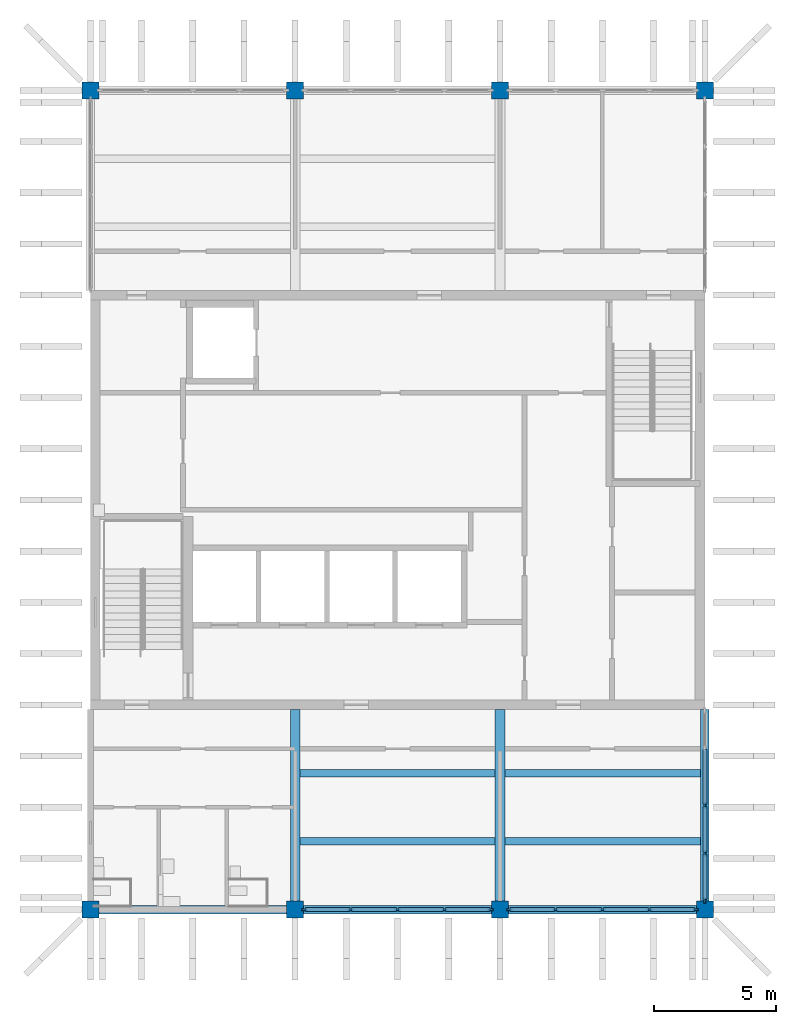
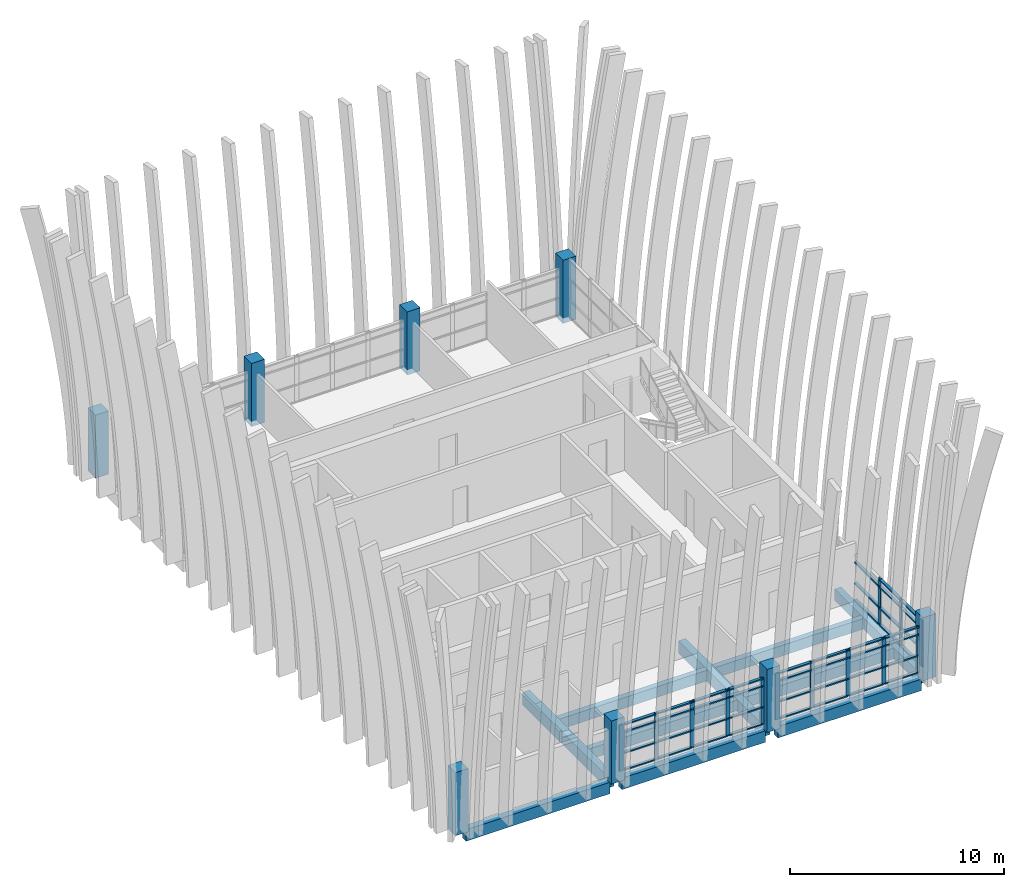
# One storey, part 1 of 19: 56 members, 10 beams, 8 columns, 3 elements without a shape of their own.
"""IFC4 building model written with IfcOpenShell, lengths in metres."""

import ifcopenshell
import ifcopenshell.guid

model = None  # the IFC model being written
_history = None  # IfcOwnerHistory: only IFC2X3 demands one
_inside = {}  # id of a spatial element -> (the spatial element, [elements in it])
_under = {}  # id of a project, library or spatial element -> (it, [spatial elements below it])
_declared = {}  # id of a project -> (the project, [libraries it declares])
_typed = {}  # id of a type object -> (the type object, [elements of that type])
_made_of = {}  # id of a material, layer set ... -> (it, [elements and type objects made of it])


def new_model(schema):
    """Start an empty IFC model of exactly this schema.

    Asked for "IFC4X3", IfcOpenShell would pick the latest addendum, in which some entities
    have other attributes; the version numbers below select the first issue.
    IFC2X3 requires an IfcOwnerHistory on every rooted entity: one is made here for all.
    """
    global model, _history
    if schema == "IFC4X3":
        model = ifcopenshell.file(schema_version=(4, 3, 0, 0))
    else:
        model = ifcopenshell.file(schema=schema)
    _inside.clear()
    _under.clear()
    _declared.clear()
    _typed.clear()
    _made_of.clear()
    _history = None
    if model.schema == "IFC2X3":
        org = make("IfcOrganization", Name="unknown")
        user = make(
            "IfcPersonAndOrganization",
            ThePerson=make("IfcPerson", FamilyName="unknown"),
            TheOrganization=org,
        )
        app = make(
            "IfcApplication",
            ApplicationDeveloper=org,
            Version="unknown",
            ApplicationFullName="unknown",
            ApplicationIdentifier="unknown",
        )
        _history = make(
            "IfcOwnerHistory",
            OwningUser=user,
            OwningApplication=app,
            ChangeAction="ADDED",
            CreationDate=0,
        )
    return model


def make(cls, **values):
    """One entity of the class cls with the attributes given. An attribute that is None is left unset."""
    return model.create_entity(
        cls, **{name: value for name, value in values.items() if value is not None}
    )


def rooted(cls, **values):
    """An entity with a GlobalId (a new one), such as an element, a storey or a relation."""
    return make(cls, GlobalId=ifcopenshell.guid.new(), OwnerHistory=_history, **values)


def si_unit(unit_type, name, prefix=None):
    """IfcSIUnit, for example si_unit("LENGTHUNIT", "METRE", prefix="MILLI")."""
    return make("IfcSIUnit", UnitType=unit_type, Prefix=prefix, Name=name)


def assignment(units):
    """IfcUnitAssignment: the units of a project."""
    return None if units is None else make("IfcUnitAssignment", Units=units)


def point(xyz):
    """IfcCartesianPoint."""
    return None if xyz is None else make("IfcCartesianPoint", Coordinates=xyz)


def direction(xyz):
    """IfcDirection."""
    return None if xyz is None else make("IfcDirection", DirectionRatios=xyz)


def frame(location, z_axis=None, x_axis=None):
    """IfcAxis2Placement3D, a coordinate frame: its origin and axes. An axis left out is left unset."""
    return make(
        "IfcAxis2Placement3D",
        Location=point(location),
        Axis=direction(z_axis),
        RefDirection=direction(x_axis),
    )


def frame_2d(location, x_axis=None):
    """IfcAxis2Placement2D, a coordinate frame in the plane: its origin and x axis."""
    return make(
        "IfcAxis2Placement2D", Location=point(location), RefDirection=direction(x_axis)
    )


def origin():
    """The frame at (0, 0, 0) with its axes left unset."""
    return frame((0.0, 0.0, 0.0))


def origin_2d():
    """The frame at (0, 0) in the plane with its x axis left unset."""
    return frame_2d((0.0, 0.0))


def place(relative_to, where):
    """IfcLocalPlacement: puts the frame where relative to a parent placement (None: the world)."""
    return make(
        "IfcLocalPlacement", PlacementRelTo=relative_to, RelativePlacement=where
    )


def context(
    kind, dimensions, precision=None, world=None, true_north=None, identifier=None
):
    """IfcGeometricRepresentationContext, for example the 3D "Model" context."""
    return make(
        "IfcGeometricRepresentationContext",
        ContextIdentifier=identifier,
        ContextType=kind,
        CoordinateSpaceDimension=dimensions,
        Precision=precision,
        WorldCoordinateSystem=world,
        TrueNorth=true_north,
    )


def subcontext(parent, identifier, kind, view, scale=None):
    """IfcGeometricRepresentationSubContext, for example "Body" below "Model"."""
    return make(
        "IfcGeometricRepresentationSubContext",
        ContextIdentifier=identifier,
        ContextType=kind,
        ParentContext=parent,
        TargetScale=scale,
        TargetView=view,
    )


def project(units=None, contexts=None):
    """IfcProject with its units and contexts."""
    return rooted(
        "IfcProject",
        Name="project",
        RepresentationContexts=contexts,
        UnitsInContext=assignment(units),
    )


def spatial(cls, under=None, at=None, **own):
    """A site, building, storey or space (cls), placed at a placement, below another one or the project."""
    s = rooted(cls, ObjectPlacement=at, **own)
    if under is not None:
        _under.setdefault(under.id(), (under, []))[1].append(s)
    return s


def profile(cls, at=None, kind="AREA", **sizes):
    """A parametric profile (cls). Its sizes go by their IFC names, for example OverallWidth=200.0."""
    return make(cls, ProfileType=kind, Position=at, **sizes)


def rectangle(**sizes):
    """IfcRectangleProfileDef."""
    return profile("IfcRectangleProfileDef", **sizes)


def extrude(swept, where, along, depth):
    """IfcExtrudedAreaSolid: the profile swept, set in the frame where, extruded along a direction by depth."""
    return make(
        "IfcExtrudedAreaSolid",
        SweptArea=swept,
        Position=where,
        ExtrudedDirection=direction(along),
        Depth=depth,
    )


def shape(context_of_items, identifier, shape_type, items):
    """IfcShapeRepresentation: the items that make up one representation, for example the "Body"."""
    return make(
        "IfcShapeRepresentation",
        ContextOfItems=context_of_items,
        RepresentationIdentifier=identifier,
        RepresentationType=shape_type,
        Items=items,
    )


def material(Name=None, Category=None):
    """IfcMaterial."""
    return make("IfcMaterial", Name=Name, Category=Category)


def layer(
    of_material, thickness, ventilated=None, Name=None, Category=None, Priority=None
):
    """IfcMaterialLayer: one layer of a wall or slab, of a material (None: an air gap)."""
    return make(
        "IfcMaterialLayer",
        Material=of_material,
        LayerThickness=thickness,
        IsVentilated=ventilated,
        Name=Name,
        Category=Category,
        Priority=Priority,
    )


def layer_set(layers, Name=None):
    """IfcMaterialLayerSet."""
    return make("IfcMaterialLayerSet", MaterialLayers=layers, LayerSetName=Name)


def material_profile(
    of_material, cross_section, Name=None, Category=None, Priority=None
):
    """IfcMaterialProfile: a cross section and its material."""
    return make(
        "IfcMaterialProfile",
        Name=Name,
        Material=of_material,
        Profile=cross_section,
        Priority=Priority,
        Category=Category,
    )


def profile_set(profiles, Name=None, composite=None):
    """IfcMaterialProfileSet."""
    return make(
        "IfcMaterialProfileSet",
        Name=Name,
        MaterialProfiles=profiles,
        CompositeProfile=composite,
    )


def made_of(thing, what):
    """Note that an element or type object is made of a material, layer set ...; save() writes the relation."""
    if what is not None:
        _made_of.setdefault(what.id(), (what, []))[1].append(thing)
    return thing


def type_object(cls, material=None, **own):
    """A type object (cls), such as IfcWallType, which elements share."""
    return made_of(rooted(cls, **own), material)


def element(
    cls,
    number,
    at=None,
    inside=None,
    cuts=None,
    type_object=None,
    material=None,
    context=None,
    identifier="Body",
    shape_type=None,
    held_by="IfcProductDefinitionShape",
    body=None,
    shapes=None,
    **own,
):
    """One element of the class cls, such as IfcWall. Its Tag is "e" and its number.

    at: its placement. inside: the storey or other place that contains it. cuts: it is an
    opening in that element (IfcRelVoidsElement). A single representation is given by context,
    identifier, shape_type and body (its items); several are given by shapes. held_by: the class
    of the entity that holds the representations. save() writes the other relations.
    """
    e = rooted(cls, Tag="e%d" % number, ObjectPlacement=at, **own)
    if body is not None:
        shapes = [shape(context, identifier, shape_type, body)]
    if shapes is not None:
        e.Representation = make(held_by, Representations=shapes)
    if inside is not None:
        _inside.setdefault(inside.id(), (inside, []))[1].append(e)
    if cuts is not None:
        rooted(
            "IfcRelVoidsElement", RelatingBuildingElement=cuts, RelatedOpeningElement=e
        )
    if type_object is not None:
        _typed.setdefault(type_object.id(), (type_object, []))[1].append(e)
    return made_of(e, material)


def aggregate(whole, parts):
    """IfcRelAggregates: a whole, such as a stair, and the parts it consists of."""
    return rooted("IfcRelAggregates", RelatingObject=whole, RelatedObjects=parts)


def save(model, path):
    """Write the relations noted so far, then the file.

    IfcRelAggregates (storeys below a building ...), IfcRelContainedInSpatialStructure (elements
    in a storey), IfcRelDefinesByType, IfcRelAssociatesMaterial and IfcRelDeclares: one each for
    every whole, place, type object, material and project.
    """
    for whole, parts in _under.values():
        aggregate(whole, parts)
    for where, things in _inside.values():
        rooted(
            "IfcRelContainedInSpatialStructure",
            RelatedElements=things,
            RelatingStructure=where,
        )
    for kind, things in _typed.values():
        rooted("IfcRelDefinesByType", RelatedObjects=things, RelatingType=kind)
    for what, things in _made_of.values():
        rooted("IfcRelAssociatesMaterial", RelatedObjects=things, RelatingMaterial=what)
    for by, libraries in _declared.values():
        rooted("IfcRelDeclares", RelatingContext=by, RelatedDefinitions=libraries)
    model.write(path)


model = new_model("IFC4")

# Units and contexts
model_context = context("Model", 3, precision=1e-05, world=origin(), true_north=direction((0.0, 1.0)))
body_context = subcontext(model_context, "Body", "Model", "MODEL_VIEW")
ifc_project = project(units=[si_unit("LENGTHUNIT", "METRE"), si_unit("AREAUNIT", "SQUARE_METRE"), si_unit("VOLUMEUNIT", "CUBIC_METRE"), si_unit("PLANEANGLEUNIT", "RADIAN"), si_unit("MASSUNIT", "GRAM", prefix="KILO")], contexts=[model_context])

# Site, building, storey
site_placement = place(None, origin())
site = spatial("IfcSite", under=ifc_project, at=site_placement, CompositionType="ELEMENT")
building_placement = place(site_placement, origin())
building = spatial("IfcBuilding", under=site, at=building_placement, Name="Rulbaag Community and Learning Centre", CompositionType="ELEMENT")
storey_placement = place(building_placement, frame((0.0, 0.0, 57.60009765625)))
storey = spatial("IfcBuildingStorey", under=building, at=storey_placement, Name="L15", CompositionType="ELEMENT", Elevation=57.60009765625)

# Columns
ifc_material_1 = material(Name="Concrete M40", Category="concrete")
ifc_material_profile_1 = material_profile(ifc_material_1, rectangle(XDim=0.699951171875, YDim=0.699951171875, at=origin_2d()), Name="RC700x700")
ifc_profile_set_1 = profile_set([ifc_material_profile_1], Name="Concrete M40")
column_type = type_object("IfcColumnType", Name="C5 Column 700x700 Concrete M40", PredefinedType="COLUMN", material=ifc_profile_set_1)
for number, where, z_axis, x_axis, name in (
    (1, (142.800048828125, 84.0, -0.300048828125), (0.0, 0.0, 1.0), (1.0, 0.0, 0.0), "COL-18K-L15"),
    (2, (142.800048828125, 117.60009765625, -0.300048828125), (0.0, 0.0, 1.0), (1.0, 0.0, 0.0), "COL-18O-L15"),
    (3, (151.199951171875, 84.0, -0.300048828125), (0.0, 0.0, 1.0), (1.0, 0.0, 0.0), "COL-19K-L15"),
    (4, (151.199951171875, 117.60009765625, -0.300048828125), (0.0, 0.0, 1.0), (1.0, 0.0, 0.0), "COL-19O-L15"),
    (5, (159.60009765625, 84.0, -0.300048828125), (0.0, 0.0, 1.0), (1.0, 0.0, 0.0), "COL-20K-L15"),
    (6, (159.60009765625, 117.60009765625, -0.300048828125), (0.0, 0.0, 1.0), (1.0, 0.0, 0.0), "COL-20O-L15"),
    (7, (168.0, 84.0, -0.300048828125), (0.0, 0.0, 1.0), (1.0, 0.0, 0.0), "COL-21K-L15"),
    (8, (168.0, 117.60009765625, -0.300048828125), (0.0, 0.0, 1.0), (1.0, 0.0, 0.0), "COL-21O-L15"),
):
    element("IfcColumn", number, at=place(storey_placement, frame(where, z_axis=z_axis, x_axis=x_axis)), inside=storey, type_object=column_type, Name=name, PredefinedType="COLUMN", context=body_context, shape_type="SweptSolid", body=[
        extrude(rectangle(XDim=0.699951171875, YDim=0.699951171875, at=origin_2d()), origin(), (0.0, 0.0, 1.0), 3.599853515625),
    ])

# Beams
ifc_material_profile_2 = material_profile(ifc_material_1, rectangle(XDim=0.39990234375, YDim=0.699951171875, at=origin_2d()), Name="RB400x700")
ifc_profile_set_2 = profile_set([ifc_material_profile_2], Name="Concrete M40")
beam_type_1 = type_object("IfcBeamType", Name="B13 Tower floor beam, upper zone 400x700 Concrete M40", PredefinedType="BEAM", material=ifc_profile_set_2)
for number, where, z_axis, x_axis, name in (
    (9, (151.199951171875, 84.330078125, -0.650146484375), (0.0, 1.0, 0.0), (-1.0, 0.0, 0.0), "BM-L15-19K-19L"),
    (10, (159.60009765625, 84.330078125, -0.650146484375), (0.0, 1.0, 0.0), (-1.0, 0.0, 0.0), "BM-L15-20K-20L"),
):
    element("IfcBeam", number, at=place(storey_placement, frame(where, z_axis=z_axis, x_axis=x_axis)), inside=storey, type_object=beam_type_1, Name=name, PredefinedType="BEAM", context=body_context, shape_type="SweptSolid", body=[
        extrude(rectangle(XDim=0.39990234375, YDim=0.699951171875, at=origin_2d()), origin(), (0.0, 0.0, 1.0), 7.869873046875),
    ])
ifc_material_profile_3 = material_profile(ifc_material_1, rectangle(XDim=0.35009765625, YDim=0.64990234375, at=origin_2d()), Name="RB350x650")
ifc_profile_set_3 = profile_set([ifc_material_profile_3], Name="Concrete M40")
beam_type_2 = type_object("IfcBeamType", Name="B14 Tower edge beam, upper zone 350x650 Concrete M40", PredefinedType="BEAM", material=ifc_profile_set_3)
beam_1_placement = place(storey_placement, frame((143.1298828125, 84.0, -0.625), z_axis=(1.0, 0.0, 0.0), x_axis=(0.0, 1.0, 0.0)))
element("IfcBeam", 11, at=beam_1_placement, inside=storey, type_object=beam_type_2, Name="BM-L15-18K-19K", PredefinedType="BEAM", context=body_context, shape_type="SweptSolid", body=[
    extrude(rectangle(XDim=0.35009765625, YDim=0.64990234375, at=origin_2d()), origin(), (0.0, 0.0, 1.0), 7.740234375),
])
for number, where, z_axis, x_axis, name in (
    (12, (151.530029296875, 84.0, -0.625), (1.0, 0.0, 0.0), (0.0, 1.0, 0.0), "BM-L15-19K-20K"),
    (13, (159.929931640625, 84.0, -0.625), (1.0, 0.0, 0.0), (0.0, 1.0, 0.0), "BM-L15-20K-21K"),
):
    element("IfcBeam", number, at=place(storey_placement, frame(where, z_axis=z_axis, x_axis=x_axis)), inside=storey, type_object=beam_type_2, Name=name, PredefinedType="BEAM", context=body_context, shape_type="SweptSolid", body=[
        extrude(rectangle(XDim=0.35009765625, YDim=0.64990234375, at=origin_2d()), origin(), (0.0, 0.0, 1.0), 7.739990234375),
    ])
beam_2_placement = place(storey_placement, frame((168.0, 84.330078125, -0.625), z_axis=(0.0, 1.0, 0.0), x_axis=(-1.0, 0.0, 0.0)))
element("IfcBeam", 14, at=beam_2_placement, inside=storey, type_object=beam_type_2, Name="BM-L15-21K-21L", PredefinedType="BEAM", context=body_context, shape_type="SweptSolid", body=[
    extrude(rectangle(XDim=0.35009765625, YDim=0.64990234375, at=origin_2d()), origin(), (0.0, 0.0, 1.0), 7.869873046875),
])
ifc_material_profile_4 = material_profile(ifc_material_1, rectangle(XDim=0.300048828125, YDim=0.60009765625, at=origin_2d()), Name="RB300x600")
ifc_profile_set_4 = profile_set([ifc_material_profile_4], Name="Concrete M40")
beam_type_3 = type_object("IfcBeamType", Name="B30 Secondary joist 300x600 Concrete M40", PredefinedType="BEAM", material=ifc_profile_set_4)
for number, where, z_axis, x_axis, name in (
    (15, (151.39990234375, 86.800048828125, -0.60009765625), (1.0, 0.0, 0.0), (0.0, 1.0, 0.0), "BM-JS-L15-19K-1"),
    (16, (151.39990234375, 89.60009765625, -0.60009765625), (1.0, 0.0, 0.0), (0.0, 1.0, 0.0), "BM-JS-L15-19K-2"),
):
    element("IfcBeam", number, at=place(storey_placement, frame(where, z_axis=z_axis, x_axis=x_axis)), inside=storey, type_object=beam_type_3, Name=name, PredefinedType="BEAM", context=body_context, shape_type="SweptSolid", body=[
        extrude(rectangle(XDim=0.300048828125, YDim=0.60009765625, at=origin_2d()), origin(), (0.0, 0.0, 1.0), 8.0),
    ])
for number, where, z_axis, x_axis, name in (
    (17, (159.800048828125, 86.800048828125, -0.60009765625), (1.0, 0.0, 0.0), (0.0, 1.0, 0.0), "BM-JS-L15-20K-1"),
    (18, (159.800048828125, 89.60009765625, -0.60009765625), (1.0, 0.0, 0.0), (0.0, 1.0, 0.0), "BM-JS-L15-20K-2"),
):
    element("IfcBeam", number, at=place(storey_placement, frame(where, z_axis=z_axis, x_axis=x_axis)), inside=storey, type_object=beam_type_3, Name=name, PredefinedType="BEAM", context=body_context, shape_type="SweptSolid", body=[
        extrude(rectangle(XDim=0.300048828125, YDim=0.60009765625, at=origin_2d()), origin(), (0.0, 0.0, 1.0), 8.02490234375),
    ])

# Curtain wall, members
ifc_material_2 = material(Name="Aluminium", Category="aluminium")
ifc_layer = layer(ifc_material_2, 0.14990234375)
ifc_layer_set = layer_set([ifc_layer], Name="CW-C")
curtain_wall_type = type_object("IfcCurtainWallType", Name="CW-C", PredefinedType="USERDEFINED", material=ifc_layer_set)
curtain_wall_1_placement = place(storey_placement, origin())
curtain_wall_1 = element("IfcCurtainWall", 19, at=curtain_wall_1_placement, inside=storey, type_object=curtain_wall_type, Name="GC-L15-01", ObjectType="UNITISED CURTAIN WALL", PredefinedType="USERDEFINED")
ifc_material_3 = material(Name="Aluminium mullion", Category="aluminium")
ifc_material_profile_5 = material_profile(ifc_material_3, rectangle(XDim=0.070068359375, YDim=0.22509765625, at=origin_2d()), Name="AL 70x225")
ifc_profile_set_5 = profile_set([ifc_material_profile_5], Name="Aluminium mullion")
member_type_1 = type_object("IfcMemberType", Name="CW-C-MUL", PredefinedType="MULLION", material=ifc_profile_set_5)
member_1_placement = place(storey_placement, frame((151.5849609375, 84.0, 0.0), z_axis=(0.0, 0.0, 1.0), x_axis=(0.0, 1.0, 0.0)))
member_1 = element("IfcMember", 20, at=member_1_placement, type_object=member_type_1, Name="GC mullion 1", PredefinedType="MULLION", context=body_context, shape_type="SweptSolid", body=[
    extrude(rectangle(XDim=0.070068359375, YDim=0.22509765625, at=origin_2d()), origin(), (0.0, 0.0, 1.0), 2.64990234375),
])
member_2_placement = place(storey_placement, frame((153.47509765625, 84.0, 0.0), z_axis=(0.0, 0.0, 1.0), x_axis=(0.0, 1.0, 0.0)))
member_2 = element("IfcMember", 21, at=member_2_placement, type_object=member_type_1, Name="GC mullion 2", PredefinedType="MULLION", context=body_context, shape_type="SweptSolid", body=[
    extrude(rectangle(XDim=0.070068359375, YDim=0.22509765625, at=origin_2d()), origin(), (0.0, 0.0, 1.0), 2.64990234375),
])
member_3_placement = place(storey_placement, frame((155.39990234375, 84.0, 0.0), z_axis=(0.0, 0.0, 1.0), x_axis=(0.0, 1.0, 0.0)))
member_3 = element("IfcMember", 22, at=member_3_placement, type_object=member_type_1, Name="GC mullion 3", PredefinedType="MULLION", context=body_context, shape_type="SweptSolid", body=[
    extrude(rectangle(XDim=0.070068359375, YDim=0.22509765625, at=origin_2d()), origin(), (0.0, 0.0, 1.0), 2.64990234375),
])
member_4_placement = place(storey_placement, frame((157.324951171875, 84.0, 0.0), z_axis=(0.0, 0.0, 1.0), x_axis=(0.0, 1.0, 0.0)))
member_4 = element("IfcMember", 23, at=member_4_placement, type_object=member_type_1, Name="GC mullion 4", PredefinedType="MULLION", context=body_context, shape_type="SweptSolid", body=[
    extrude(rectangle(XDim=0.070068359375, YDim=0.22509765625, at=origin_2d()), origin(), (0.0, 0.0, 1.0), 2.64990234375),
])
member_5_placement = place(storey_placement, frame((159.215087890625, 84.0, 0.0), z_axis=(0.0, 0.0, 1.0), x_axis=(0.0, 1.0, 0.0)))
member_5 = element("IfcMember", 24, at=member_5_placement, type_object=member_type_1, Name="GC mullion 5", PredefinedType="MULLION", context=body_context, shape_type="SweptSolid", body=[
    extrude(rectangle(XDim=0.070068359375, YDim=0.22509765625, at=origin_2d()), origin(), (0.0, 0.0, 1.0), 2.64990234375),
])

curtain_wall_2_placement = place(storey_placement, origin())
curtain_wall_2 = element("IfcCurtainWall", 25, at=curtain_wall_2_placement, inside=storey, type_object=curtain_wall_type, Name="GC-L15-02", ObjectType="UNITISED CURTAIN WALL", PredefinedType="USERDEFINED")
member_6_placement = place(storey_placement, frame((159.985107421875, 84.0, 0.0), z_axis=(0.0, 0.0, 1.0), x_axis=(0.0, 1.0, 0.0)))
member_6 = element("IfcMember", 26, at=member_6_placement, type_object=member_type_1, Name="GC mullion 1", PredefinedType="MULLION", context=body_context, shape_type="SweptSolid", body=[
    extrude(rectangle(XDim=0.070068359375, YDim=0.22509765625, at=origin_2d()), origin(), (0.0, 0.0, 1.0), 2.64990234375),
])
member_7_placement = place(storey_placement, frame((161.875, 84.0, 0.0), z_axis=(0.0, 0.0, 1.0), x_axis=(0.0, 1.0, 0.0)))
member_7 = element("IfcMember", 27, at=member_7_placement, type_object=member_type_1, Name="GC mullion 2", PredefinedType="MULLION", context=body_context, shape_type="SweptSolid", body=[
    extrude(rectangle(XDim=0.070068359375, YDim=0.22509765625, at=origin_2d()), origin(), (0.0, 0.0, 1.0), 2.64990234375),
])
member_8_placement = place(storey_placement, frame((163.800048828125, 84.0, 0.0), z_axis=(0.0, 0.0, 1.0), x_axis=(0.0, 1.0, 0.0)))
member_8 = element("IfcMember", 28, at=member_8_placement, type_object=member_type_1, Name="GC mullion 3", PredefinedType="MULLION", context=body_context, shape_type="SweptSolid", body=[
    extrude(rectangle(XDim=0.070068359375, YDim=0.22509765625, at=origin_2d()), origin(), (0.0, 0.0, 1.0), 2.64990234375),
])
member_9_placement = place(storey_placement, frame((165.72509765625, 84.0, 0.0), z_axis=(0.0, 0.0, 1.0), x_axis=(0.0, 1.0, 0.0)))
member_9 = element("IfcMember", 29, at=member_9_placement, type_object=member_type_1, Name="GC mullion 4", PredefinedType="MULLION", context=body_context, shape_type="SweptSolid", body=[
    extrude(rectangle(XDim=0.070068359375, YDim=0.22509765625, at=origin_2d()), origin(), (0.0, 0.0, 1.0), 2.64990234375),
])
member_10_placement = place(storey_placement, frame((167.614990234375, 84.0, 0.0), z_axis=(0.0, 0.0, 1.0), x_axis=(0.0, 1.0, 0.0)))
member_10 = element("IfcMember", 30, at=member_10_placement, type_object=member_type_1, Name="GC mullion 5", PredefinedType="MULLION", context=body_context, shape_type="SweptSolid", body=[
    extrude(rectangle(XDim=0.070068359375, YDim=0.22509765625, at=origin_2d()), origin(), (0.0, 0.0, 1.0), 2.64990234375),
])

curtain_wall_3_placement = place(storey_placement, origin())
curtain_wall_3 = element("IfcCurtainWall", 31, at=curtain_wall_3_placement, inside=storey, type_object=curtain_wall_type, Name="GC-L15-07", ObjectType="UNITISED CURTAIN WALL", PredefinedType="USERDEFINED")
member_11_placement = place(storey_placement, frame((168.0, 84.385009765625, 0.0), z_axis=(0.0, 0.0, 1.0), x_axis=(-1.0, 0.0, 0.0)))
member_11 = element("IfcMember", 32, at=member_11_placement, type_object=member_type_1, Name="GC mullion 1", PredefinedType="MULLION", context=body_context, shape_type="SweptSolid", body=[
    extrude(rectangle(XDim=0.070068359375, YDim=0.22509765625, at=origin_2d()), origin(), (0.0, 0.0, 1.0), 2.64990234375),
])
member_12_placement = place(storey_placement, frame((168.0, 86.3125, 0.0), z_axis=(0.0, 0.0, 1.0), x_axis=(-1.0, 0.0, 0.0)))
member_12 = element("IfcMember", 33, at=member_12_placement, type_object=member_type_1, Name="GC mullion 2", PredefinedType="MULLION", context=body_context, shape_type="SweptSolid", body=[
    extrude(rectangle(XDim=0.070068359375, YDim=0.22509765625, at=origin_2d()), origin(), (0.0, 0.0, 1.0), 2.64990234375),
])
member_13_placement = place(storey_placement, frame((168.0, 88.27490234375, 0.0), z_axis=(0.0, 0.0, 1.0), x_axis=(-1.0, 0.0, 0.0)))
member_13 = element("IfcMember", 34, at=member_13_placement, type_object=member_type_1, Name="GC mullion 3", PredefinedType="MULLION", context=body_context, shape_type="SweptSolid", body=[
    extrude(rectangle(XDim=0.070068359375, YDim=0.22509765625, at=origin_2d()), origin(), (0.0, 0.0, 1.0), 2.64990234375),
])

# Member
ifc_material_4 = material(Name="Aluminium transom", Category="aluminium")
ifc_material_profile_6 = material_profile(ifc_material_4, rectangle(XDim=0.159912109375, YDim=0.070068359375, at=origin_2d()), Name="AL 70x160 T")
ifc_profile_set_6 = profile_set([ifc_material_profile_6], Name="Aluminium transom")
member_type_2 = type_object("IfcMemberType", Name="CW-C-TRN", PredefinedType="USERDEFINED", material=ifc_profile_set_6)
member_14_placement = place(storey_placement, frame((151.6201171875, 84.0, 0.034912109375), z_axis=(1.0, 0.0, 0.0), x_axis=(0.0, 1.0, 0.0)))
member_14 = element("IfcMember", 35, at=member_14_placement, type_object=member_type_2, Name="GC transom 1.1", ObjectType="TRANSOM", PredefinedType="USERDEFINED", context=body_context, shape_type="SweptSolid", body=[
    extrude(rectangle(XDim=0.159912109375, YDim=0.070068359375, at=origin_2d()), origin(), (0.0, 0.0, 1.0), 1.81982421875),
])

member_15_placement = place(storey_placement, frame((151.6201171875, 84.0, 1.0), z_axis=(1.0, 0.0, 0.0), x_axis=(0.0, 1.0, 0.0)))
member_15 = element("IfcMember", 36, at=member_15_placement, type_object=member_type_2, Name="GC transom 1.2", ObjectType="TRANSOM", PredefinedType="USERDEFINED", context=body_context, shape_type="SweptSolid", body=[
    extrude(rectangle(XDim=0.159912109375, YDim=0.070068359375, at=origin_2d()), origin(), (0.0, 0.0, 1.0), 1.81982421875),
])

member_16_placement = place(storey_placement, frame((151.6201171875, 84.0, 2.199951171875), z_axis=(1.0, 0.0, 0.0), x_axis=(0.0, 1.0, 0.0)))
member_16 = element("IfcMember", 37, at=member_16_placement, type_object=member_type_2, Name="GC transom 1.3", ObjectType="TRANSOM", PredefinedType="USERDEFINED", context=body_context, shape_type="SweptSolid", body=[
    extrude(rectangle(XDim=0.159912109375, YDim=0.070068359375, at=origin_2d()), origin(), (0.0, 0.0, 1.0), 1.81982421875),
])

member_17_placement = place(storey_placement, frame((151.6201171875, 84.0, 2.614990234375), z_axis=(1.0, 0.0, 0.0), x_axis=(0.0, 1.0, 0.0)))
member_17 = element("IfcMember", 38, at=member_17_placement, type_object=member_type_2, Name="GC transom 1.4", ObjectType="TRANSOM", PredefinedType="USERDEFINED", context=body_context, shape_type="SweptSolid", body=[
    extrude(rectangle(XDim=0.159912109375, YDim=0.070068359375, at=origin_2d()), origin(), (0.0, 0.0, 1.0), 1.81982421875),
])

member_18_placement = place(storey_placement, frame((153.510009765625, 84.0, 0.034912109375), z_axis=(1.0, 0.0, 0.0), x_axis=(0.0, 1.0, 0.0)))
member_18 = element("IfcMember", 39, at=member_18_placement, type_object=member_type_2, Name="GC transom 2.1", ObjectType="TRANSOM", PredefinedType="USERDEFINED", context=body_context, shape_type="SweptSolid", body=[
    extrude(rectangle(XDim=0.159912109375, YDim=0.070068359375, at=origin_2d()), origin(), (0.0, 0.0, 1.0), 1.85498046875),
])

member_19_placement = place(storey_placement, frame((153.510009765625, 84.0, 1.0), z_axis=(1.0, 0.0, 0.0), x_axis=(0.0, 1.0, 0.0)))
member_19 = element("IfcMember", 40, at=member_19_placement, type_object=member_type_2, Name="GC transom 2.2", ObjectType="TRANSOM", PredefinedType="USERDEFINED", context=body_context, shape_type="SweptSolid", body=[
    extrude(rectangle(XDim=0.159912109375, YDim=0.070068359375, at=origin_2d()), origin(), (0.0, 0.0, 1.0), 1.85498046875),
])

member_20_placement = place(storey_placement, frame((153.510009765625, 84.0, 2.199951171875), z_axis=(1.0, 0.0, 0.0), x_axis=(0.0, 1.0, 0.0)))
member_20 = element("IfcMember", 41, at=member_20_placement, type_object=member_type_2, Name="GC transom 2.3", ObjectType="TRANSOM", PredefinedType="USERDEFINED", context=body_context, shape_type="SweptSolid", body=[
    extrude(rectangle(XDim=0.159912109375, YDim=0.070068359375, at=origin_2d()), origin(), (0.0, 0.0, 1.0), 1.85498046875),
])

member_21_placement = place(storey_placement, frame((153.510009765625, 84.0, 2.614990234375), z_axis=(1.0, 0.0, 0.0), x_axis=(0.0, 1.0, 0.0)))
member_21 = element("IfcMember", 42, at=member_21_placement, type_object=member_type_2, Name="GC transom 2.4", ObjectType="TRANSOM", PredefinedType="USERDEFINED", context=body_context, shape_type="SweptSolid", body=[
    extrude(rectangle(XDim=0.159912109375, YDim=0.070068359375, at=origin_2d()), origin(), (0.0, 0.0, 1.0), 1.85498046875),
])

member_22_placement = place(storey_placement, frame((155.43505859375, 84.0, 0.034912109375), z_axis=(1.0, 0.0, 0.0), x_axis=(0.0, 1.0, 0.0)))
member_22 = element("IfcMember", 43, at=member_22_placement, type_object=member_type_2, Name="GC transom 3.1", ObjectType="TRANSOM", PredefinedType="USERDEFINED", context=body_context, shape_type="SweptSolid", body=[
    extrude(rectangle(XDim=0.159912109375, YDim=0.070068359375, at=origin_2d()), origin(), (0.0, 0.0, 1.0), 1.85498046875),
])

member_23_placement = place(storey_placement, frame((155.43505859375, 84.0, 1.0), z_axis=(1.0, 0.0, 0.0), x_axis=(0.0, 1.0, 0.0)))
member_23 = element("IfcMember", 44, at=member_23_placement, type_object=member_type_2, Name="GC transom 3.2", ObjectType="TRANSOM", PredefinedType="USERDEFINED", context=body_context, shape_type="SweptSolid", body=[
    extrude(rectangle(XDim=0.159912109375, YDim=0.070068359375, at=origin_2d()), origin(), (0.0, 0.0, 1.0), 1.85498046875),
])

member_24_placement = place(storey_placement, frame((155.43505859375, 84.0, 2.199951171875), z_axis=(1.0, 0.0, 0.0), x_axis=(0.0, 1.0, 0.0)))
member_24 = element("IfcMember", 45, at=member_24_placement, type_object=member_type_2, Name="GC transom 3.3", ObjectType="TRANSOM", PredefinedType="USERDEFINED", context=body_context, shape_type="SweptSolid", body=[
    extrude(rectangle(XDim=0.159912109375, YDim=0.070068359375, at=origin_2d()), origin(), (0.0, 0.0, 1.0), 1.85498046875),
])

member_25_placement = place(storey_placement, frame((155.43505859375, 84.0, 2.614990234375), z_axis=(1.0, 0.0, 0.0), x_axis=(0.0, 1.0, 0.0)))
member_25 = element("IfcMember", 46, at=member_25_placement, type_object=member_type_2, Name="GC transom 3.4", ObjectType="TRANSOM", PredefinedType="USERDEFINED", context=body_context, shape_type="SweptSolid", body=[
    extrude(rectangle(XDim=0.159912109375, YDim=0.070068359375, at=origin_2d()), origin(), (0.0, 0.0, 1.0), 1.85498046875),
])

member_26_placement = place(storey_placement, frame((157.360107421875, 84.0, 0.034912109375), z_axis=(1.0, 0.0, 0.0), x_axis=(0.0, 1.0, 0.0)))
member_26 = element("IfcMember", 47, at=member_26_placement, type_object=member_type_2, Name="GC transom 4.1", ObjectType="TRANSOM", PredefinedType="USERDEFINED", context=body_context, shape_type="SweptSolid", body=[
    extrude(rectangle(XDim=0.159912109375, YDim=0.070068359375, at=origin_2d()), origin(), (0.0, 0.0, 1.0), 1.81982421875),
])

member_27_placement = place(storey_placement, frame((157.360107421875, 84.0, 1.0), z_axis=(1.0, 0.0, 0.0), x_axis=(0.0, 1.0, 0.0)))
member_27 = element("IfcMember", 48, at=member_27_placement, type_object=member_type_2, Name="GC transom 4.2", ObjectType="TRANSOM", PredefinedType="USERDEFINED", context=body_context, shape_type="SweptSolid", body=[
    extrude(rectangle(XDim=0.159912109375, YDim=0.070068359375, at=origin_2d()), origin(), (0.0, 0.0, 1.0), 1.81982421875),
])

member_28_placement = place(storey_placement, frame((157.360107421875, 84.0, 2.199951171875), z_axis=(1.0, 0.0, 0.0), x_axis=(0.0, 1.0, 0.0)))
member_28 = element("IfcMember", 49, at=member_28_placement, type_object=member_type_2, Name="GC transom 4.3", ObjectType="TRANSOM", PredefinedType="USERDEFINED", context=body_context, shape_type="SweptSolid", body=[
    extrude(rectangle(XDim=0.159912109375, YDim=0.070068359375, at=origin_2d()), origin(), (0.0, 0.0, 1.0), 1.81982421875),
])

member_29_placement = place(storey_placement, frame((157.360107421875, 84.0, 2.614990234375), z_axis=(1.0, 0.0, 0.0), x_axis=(0.0, 1.0, 0.0)))
member_29 = element("IfcMember", 50, at=member_29_placement, type_object=member_type_2, Name="GC transom 4.4", ObjectType="TRANSOM", PredefinedType="USERDEFINED", context=body_context, shape_type="SweptSolid", body=[
    extrude(rectangle(XDim=0.159912109375, YDim=0.070068359375, at=origin_2d()), origin(), (0.0, 0.0, 1.0), 1.81982421875),
])

aggregate(curtain_wall_1, [member_1, member_2, member_3, member_4, member_5, member_14, member_15, member_16, member_17, member_18, member_19, member_20, member_21, member_22, member_23, member_24, member_25, member_26, member_27, member_28, member_29])

member_30_placement = place(storey_placement, frame((160.02001953125, 84.0, 0.034912109375), z_axis=(1.0, 0.0, 0.0), x_axis=(0.0, 1.0, 0.0)))
member_30 = element("IfcMember", 51, at=member_30_placement, type_object=member_type_2, Name="GC transom 1.1", ObjectType="TRANSOM", PredefinedType="USERDEFINED", context=body_context, shape_type="SweptSolid", body=[
    extrude(rectangle(XDim=0.159912109375, YDim=0.070068359375, at=origin_2d()), origin(), (0.0, 0.0, 1.0), 1.820068359375),
])

member_31_placement = place(storey_placement, frame((160.02001953125, 84.0, 1.0), z_axis=(1.0, 0.0, 0.0), x_axis=(0.0, 1.0, 0.0)))
member_31 = element("IfcMember", 52, at=member_31_placement, type_object=member_type_2, Name="GC transom 1.2", ObjectType="TRANSOM", PredefinedType="USERDEFINED", context=body_context, shape_type="SweptSolid", body=[
    extrude(rectangle(XDim=0.159912109375, YDim=0.070068359375, at=origin_2d()), origin(), (0.0, 0.0, 1.0), 1.820068359375),
])

member_32_placement = place(storey_placement, frame((160.02001953125, 84.0, 2.199951171875), z_axis=(1.0, 0.0, 0.0), x_axis=(0.0, 1.0, 0.0)))
member_32 = element("IfcMember", 53, at=member_32_placement, type_object=member_type_2, Name="GC transom 1.3", ObjectType="TRANSOM", PredefinedType="USERDEFINED", context=body_context, shape_type="SweptSolid", body=[
    extrude(rectangle(XDim=0.159912109375, YDim=0.070068359375, at=origin_2d()), origin(), (0.0, 0.0, 1.0), 1.820068359375),
])

member_33_placement = place(storey_placement, frame((160.02001953125, 84.0, 2.614990234375), z_axis=(1.0, 0.0, 0.0), x_axis=(0.0, 1.0, 0.0)))
member_33 = element("IfcMember", 54, at=member_33_placement, type_object=member_type_2, Name="GC transom 1.4", ObjectType="TRANSOM", PredefinedType="USERDEFINED", context=body_context, shape_type="SweptSolid", body=[
    extrude(rectangle(XDim=0.159912109375, YDim=0.070068359375, at=origin_2d()), origin(), (0.0, 0.0, 1.0), 1.820068359375),
])

member_34_placement = place(storey_placement, frame((161.909912109375, 84.0, 0.034912109375), z_axis=(1.0, 0.0, 0.0), x_axis=(0.0, 1.0, 0.0)))
member_34 = element("IfcMember", 55, at=member_34_placement, type_object=member_type_2, Name="GC transom 2.1", ObjectType="TRANSOM", PredefinedType="USERDEFINED", context=body_context, shape_type="SweptSolid", body=[
    extrude(rectangle(XDim=0.159912109375, YDim=0.070068359375, at=origin_2d()), origin(), (0.0, 0.0, 1.0), 1.85498046875),
])

member_35_placement = place(storey_placement, frame((161.909912109375, 84.0, 1.0), z_axis=(1.0, 0.0, 0.0), x_axis=(0.0, 1.0, 0.0)))
member_35 = element("IfcMember", 56, at=member_35_placement, type_object=member_type_2, Name="GC transom 2.2", ObjectType="TRANSOM", PredefinedType="USERDEFINED", context=body_context, shape_type="SweptSolid", body=[
    extrude(rectangle(XDim=0.159912109375, YDim=0.070068359375, at=origin_2d()), origin(), (0.0, 0.0, 1.0), 1.85498046875),
])

member_36_placement = place(storey_placement, frame((161.909912109375, 84.0, 2.199951171875), z_axis=(1.0, 0.0, 0.0), x_axis=(0.0, 1.0, 0.0)))
member_36 = element("IfcMember", 57, at=member_36_placement, type_object=member_type_2, Name="GC transom 2.3", ObjectType="TRANSOM", PredefinedType="USERDEFINED", context=body_context, shape_type="SweptSolid", body=[
    extrude(rectangle(XDim=0.159912109375, YDim=0.070068359375, at=origin_2d()), origin(), (0.0, 0.0, 1.0), 1.85498046875),
])

member_37_placement = place(storey_placement, frame((161.909912109375, 84.0, 2.614990234375), z_axis=(1.0, 0.0, 0.0), x_axis=(0.0, 1.0, 0.0)))
member_37 = element("IfcMember", 58, at=member_37_placement, type_object=member_type_2, Name="GC transom 2.4", ObjectType="TRANSOM", PredefinedType="USERDEFINED", context=body_context, shape_type="SweptSolid", body=[
    extrude(rectangle(XDim=0.159912109375, YDim=0.070068359375, at=origin_2d()), origin(), (0.0, 0.0, 1.0), 1.85498046875),
])

member_38_placement = place(storey_placement, frame((163.8349609375, 84.0, 0.034912109375), z_axis=(1.0, 0.0, 0.0), x_axis=(0.0, 1.0, 0.0)))
member_38 = element("IfcMember", 59, at=member_38_placement, type_object=member_type_2, Name="GC transom 3.1", ObjectType="TRANSOM", PredefinedType="USERDEFINED", context=body_context, shape_type="SweptSolid", body=[
    extrude(rectangle(XDim=0.159912109375, YDim=0.070068359375, at=origin_2d()), origin(), (0.0, 0.0, 1.0), 1.85498046875),
])

member_39_placement = place(storey_placement, frame((163.8349609375, 84.0, 1.0), z_axis=(1.0, 0.0, 0.0), x_axis=(0.0, 1.0, 0.0)))
member_39 = element("IfcMember", 60, at=member_39_placement, type_object=member_type_2, Name="GC transom 3.2", ObjectType="TRANSOM", PredefinedType="USERDEFINED", context=body_context, shape_type="SweptSolid", body=[
    extrude(rectangle(XDim=0.159912109375, YDim=0.070068359375, at=origin_2d()), origin(), (0.0, 0.0, 1.0), 1.85498046875),
])

member_40_placement = place(storey_placement, frame((163.8349609375, 84.0, 2.199951171875), z_axis=(1.0, 0.0, 0.0), x_axis=(0.0, 1.0, 0.0)))
member_40 = element("IfcMember", 61, at=member_40_placement, type_object=member_type_2, Name="GC transom 3.3", ObjectType="TRANSOM", PredefinedType="USERDEFINED", context=body_context, shape_type="SweptSolid", body=[
    extrude(rectangle(XDim=0.159912109375, YDim=0.070068359375, at=origin_2d()), origin(), (0.0, 0.0, 1.0), 1.85498046875),
])

member_41_placement = place(storey_placement, frame((163.8349609375, 84.0, 2.614990234375), z_axis=(1.0, 0.0, 0.0), x_axis=(0.0, 1.0, 0.0)))
member_41 = element("IfcMember", 62, at=member_41_placement, type_object=member_type_2, Name="GC transom 3.4", ObjectType="TRANSOM", PredefinedType="USERDEFINED", context=body_context, shape_type="SweptSolid", body=[
    extrude(rectangle(XDim=0.159912109375, YDim=0.070068359375, at=origin_2d()), origin(), (0.0, 0.0, 1.0), 1.85498046875),
])

member_42_placement = place(storey_placement, frame((165.760009765625, 84.0, 0.034912109375), z_axis=(1.0, 0.0, 0.0), x_axis=(0.0, 1.0, 0.0)))
member_42 = element("IfcMember", 63, at=member_42_placement, type_object=member_type_2, Name="GC transom 4.1", ObjectType="TRANSOM", PredefinedType="USERDEFINED", context=body_context, shape_type="SweptSolid", body=[
    extrude(rectangle(XDim=0.159912109375, YDim=0.070068359375, at=origin_2d()), origin(), (0.0, 0.0, 1.0), 1.820068359375),
])

member_43_placement = place(storey_placement, frame((165.760009765625, 84.0, 1.0), z_axis=(1.0, 0.0, 0.0), x_axis=(0.0, 1.0, 0.0)))
member_43 = element("IfcMember", 64, at=member_43_placement, type_object=member_type_2, Name="GC transom 4.2", ObjectType="TRANSOM", PredefinedType="USERDEFINED", context=body_context, shape_type="SweptSolid", body=[
    extrude(rectangle(XDim=0.159912109375, YDim=0.070068359375, at=origin_2d()), origin(), (0.0, 0.0, 1.0), 1.820068359375),
])

member_44_placement = place(storey_placement, frame((165.760009765625, 84.0, 2.199951171875), z_axis=(1.0, 0.0, 0.0), x_axis=(0.0, 1.0, 0.0)))
member_44 = element("IfcMember", 65, at=member_44_placement, type_object=member_type_2, Name="GC transom 4.3", ObjectType="TRANSOM", PredefinedType="USERDEFINED", context=body_context, shape_type="SweptSolid", body=[
    extrude(rectangle(XDim=0.159912109375, YDim=0.070068359375, at=origin_2d()), origin(), (0.0, 0.0, 1.0), 1.820068359375),
])

member_45_placement = place(storey_placement, frame((165.760009765625, 84.0, 2.614990234375), z_axis=(1.0, 0.0, 0.0), x_axis=(0.0, 1.0, 0.0)))
member_45 = element("IfcMember", 66, at=member_45_placement, type_object=member_type_2, Name="GC transom 4.4", ObjectType="TRANSOM", PredefinedType="USERDEFINED", context=body_context, shape_type="SweptSolid", body=[
    extrude(rectangle(XDim=0.159912109375, YDim=0.070068359375, at=origin_2d()), origin(), (0.0, 0.0, 1.0), 1.820068359375),
])

aggregate(curtain_wall_2, [member_6, member_7, member_8, member_9, member_10, member_30, member_31, member_32, member_33, member_34, member_35, member_36, member_37, member_38, member_39, member_40, member_41, member_42, member_43, member_44, member_45])

member_46_placement = place(storey_placement, frame((168.0, 84.419921875, 0.034912109375), z_axis=(0.0, 1.0, 0.0), x_axis=(-1.0, 0.0, 0.0)))
member_46 = element("IfcMember", 67, at=member_46_placement, type_object=member_type_2, Name="GC transom 1.1", ObjectType="TRANSOM", PredefinedType="USERDEFINED", context=body_context, shape_type="SweptSolid", body=[
    extrude(rectangle(XDim=0.159912109375, YDim=0.070068359375, at=origin_2d()), origin(), (0.0, 0.0, 1.0), 1.857666015625),
])

member_47_placement = place(storey_placement, frame((168.0, 84.419921875, 1.0), z_axis=(0.0, 1.0, 0.0), x_axis=(-1.0, 0.0, 0.0)))
member_47 = element("IfcMember", 68, at=member_47_placement, type_object=member_type_2, Name="GC transom 1.2", ObjectType="TRANSOM", PredefinedType="USERDEFINED", context=body_context, shape_type="SweptSolid", body=[
    extrude(rectangle(XDim=0.159912109375, YDim=0.070068359375, at=origin_2d()), origin(), (0.0, 0.0, 1.0), 1.857666015625),
])

member_48_placement = place(storey_placement, frame((168.0, 84.419921875, 2.199951171875), z_axis=(0.0, 1.0, 0.0), x_axis=(-1.0, 0.0, 0.0)))
member_48 = element("IfcMember", 69, at=member_48_placement, type_object=member_type_2, Name="GC transom 1.3", ObjectType="TRANSOM", PredefinedType="USERDEFINED", context=body_context, shape_type="SweptSolid", body=[
    extrude(rectangle(XDim=0.159912109375, YDim=0.070068359375, at=origin_2d()), origin(), (0.0, 0.0, 1.0), 1.857666015625),
])

member_49_placement = place(storey_placement, frame((168.0, 84.419921875, 2.614990234375), z_axis=(0.0, 1.0, 0.0), x_axis=(-1.0, 0.0, 0.0)))
member_49 = element("IfcMember", 70, at=member_49_placement, type_object=member_type_2, Name="GC transom 1.4", ObjectType="TRANSOM", PredefinedType="USERDEFINED", context=body_context, shape_type="SweptSolid", body=[
    extrude(rectangle(XDim=0.159912109375, YDim=0.070068359375, at=origin_2d()), origin(), (0.0, 0.0, 1.0), 1.857666015625),
])

member_50_placement = place(storey_placement, frame((168.0, 86.347412109375, 0.034912109375), z_axis=(0.0, 1.0, 0.0), x_axis=(-1.0, 0.0, 0.0)))
member_50 = element("IfcMember", 71, at=member_50_placement, type_object=member_type_2, Name="GC transom 2.1", ObjectType="TRANSOM", PredefinedType="USERDEFINED", context=body_context, shape_type="SweptSolid", body=[
    extrude(rectangle(XDim=0.159912109375, YDim=0.070068359375, at=origin_2d()), origin(), (0.0, 0.0, 1.0), 1.892578125),
])

member_51_placement = place(storey_placement, frame((168.0, 86.347412109375, 1.0), z_axis=(0.0, 1.0, 0.0), x_axis=(-1.0, 0.0, 0.0)))
member_51 = element("IfcMember", 72, at=member_51_placement, type_object=member_type_2, Name="GC transom 2.2", ObjectType="TRANSOM", PredefinedType="USERDEFINED", context=body_context, shape_type="SweptSolid", body=[
    extrude(rectangle(XDim=0.159912109375, YDim=0.070068359375, at=origin_2d()), origin(), (0.0, 0.0, 1.0), 1.892578125),
])

member_52_placement = place(storey_placement, frame((168.0, 86.347412109375, 2.199951171875), z_axis=(0.0, 1.0, 0.0), x_axis=(-1.0, 0.0, 0.0)))
member_52 = element("IfcMember", 73, at=member_52_placement, type_object=member_type_2, Name="GC transom 2.3", ObjectType="TRANSOM", PredefinedType="USERDEFINED", context=body_context, shape_type="SweptSolid", body=[
    extrude(rectangle(XDim=0.159912109375, YDim=0.070068359375, at=origin_2d()), origin(), (0.0, 0.0, 1.0), 1.892578125),
])

member_53_placement = place(storey_placement, frame((168.0, 86.347412109375, 2.614990234375), z_axis=(0.0, 1.0, 0.0), x_axis=(-1.0, 0.0, 0.0)))
member_53 = element("IfcMember", 74, at=member_53_placement, type_object=member_type_2, Name="GC transom 2.4", ObjectType="TRANSOM", PredefinedType="USERDEFINED", context=body_context, shape_type="SweptSolid", body=[
    extrude(rectangle(XDim=0.159912109375, YDim=0.070068359375, at=origin_2d()), origin(), (0.0, 0.0, 1.0), 1.892578125),
])

member_54_placement = place(storey_placement, frame((168.0, 88.31005859375, 0.034912109375), z_axis=(0.0, 1.0, 0.0), x_axis=(-1.0, 0.0, 0.0)))
member_54 = element("IfcMember", 75, at=member_54_placement, type_object=member_type_2, Name="GC transom 3.1", ObjectType="TRANSOM", PredefinedType="USERDEFINED", context=body_context, shape_type="SweptSolid", body=[
    extrude(rectangle(XDim=0.159912109375, YDim=0.070068359375, at=origin_2d()), origin(), (0.0, 0.0, 1.0), 2.2548828125),
])

member_55_placement = place(storey_placement, frame((168.0, 88.31005859375, 1.0), z_axis=(0.0, 1.0, 0.0), x_axis=(-1.0, 0.0, 0.0)))
member_55 = element("IfcMember", 76, at=member_55_placement, type_object=member_type_2, Name="GC transom 3.2", ObjectType="TRANSOM", PredefinedType="USERDEFINED", context=body_context, shape_type="SweptSolid", body=[
    extrude(rectangle(XDim=0.159912109375, YDim=0.070068359375, at=origin_2d()), origin(), (0.0, 0.0, 1.0), 2.2548828125),
])

member_56_placement = place(storey_placement, frame((168.0, 88.31005859375, 2.199951171875), z_axis=(0.0, 1.0, 0.0), x_axis=(-1.0, 0.0, 0.0)))
member_56 = element("IfcMember", 77, at=member_56_placement, type_object=member_type_2, Name="GC transom 3.3", ObjectType="TRANSOM", PredefinedType="USERDEFINED", context=body_context, shape_type="SweptSolid", body=[
    extrude(rectangle(XDim=0.159912109375, YDim=0.070068359375, at=origin_2d()), origin(), (0.0, 0.0, 1.0), 2.2548828125),
])

aggregate(curtain_wall_3, [member_11, member_12, member_13, member_46, member_47, member_48, member_49, member_50, member_51, member_52, member_53, member_54, member_55, member_56])

save(model, "model.ifc")
